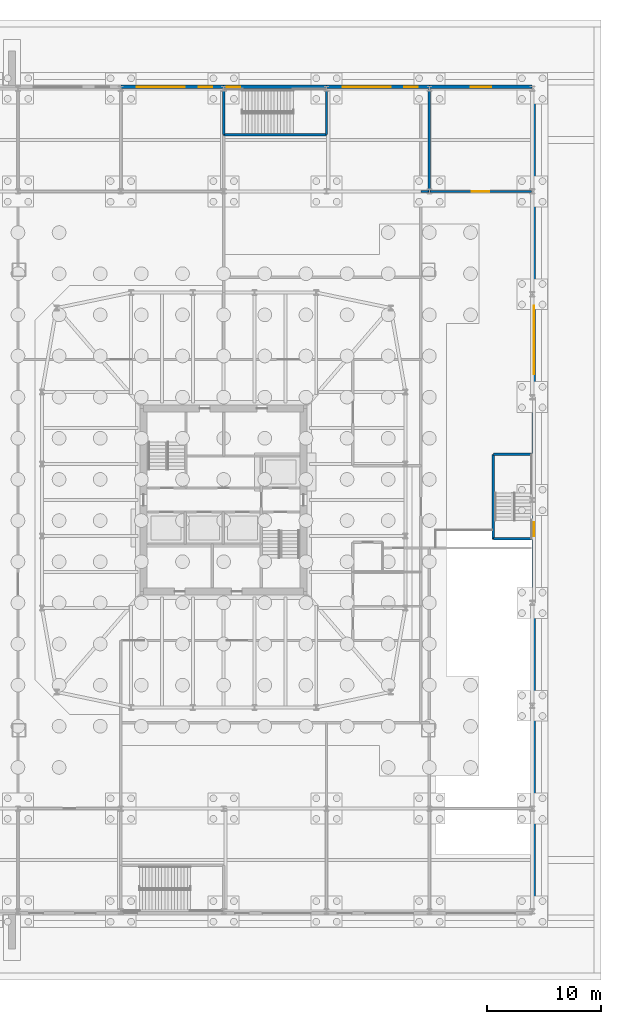
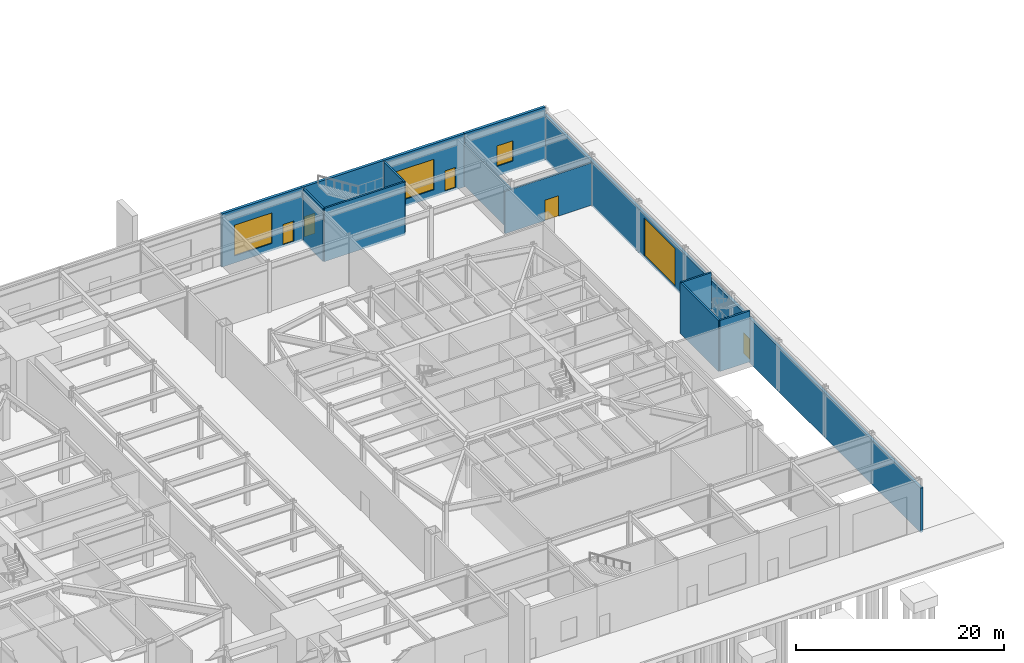
# One storey, part 20 of 37: 13 walls, 6 doors, 3 windows, 9 openings.
"""IFC4 building model written with IfcOpenShell, lengths in metres."""

from ifc_helpers import new_model, si_unit, direction, frame, frame_2d, origin, place, context, subcontext, project, spatial, rectangle, extrude, material, layer, layer_set, type_object, element, fill, save


model = new_model("IFC4")

# Units and contexts
model_context = context("Model", 3, precision=1e-05, world=origin(), true_north=direction((0.0, 1.0)))
body_context = subcontext(model_context, "Body", "Model", "MODEL_VIEW")
ifc_project = project(units=[si_unit("LENGTHUNIT", "METRE"), si_unit("AREAUNIT", "SQUARE_METRE"), si_unit("VOLUMEUNIT", "CUBIC_METRE"), si_unit("PLANEANGLEUNIT", "RADIAN"), si_unit("MASSUNIT", "GRAM", prefix="KILO")], contexts=[model_context])

# Site, building, storey
site_placement = place(None, origin())
site = spatial("IfcSite", under=ifc_project, at=site_placement, CompositionType="ELEMENT")
building_placement = place(site_placement, origin())
building = spatial("IfcBuilding", under=site, at=building_placement, Name="Iwan Alto Co-Living Towers", CompositionType="ELEMENT")
storey_placement = place(building_placement, origin())
storey = spatial("IfcBuildingStorey", under=building, at=storey_placement, Name="L00", CompositionType="ELEMENT", Elevation=0.0)

# Wall, openings, door, window
ifc_material_1 = material(Name="Fired clay brick facing", Category="masonry")
ifc_layer_1 = layer(ifc_material_1, 0.10009765625, Name="Brick facing", Category="Finish")
ifc_material_2 = material(Name="Concrete f'c 70 MPa", Category="concrete")
ifc_layer_2 = layer(ifc_material_2, 0.199951171875, Name="Reinforced concrete", Category="LoadBearing")
ifc_layer_set_1 = layer_set([ifc_layer_1, ifc_layer_2], Name="PODIUM BRICK WALL 300")
wall_type_1 = type_object("IfcWallType", Name="PODIUM BRICK WALL 300", PredefinedType="SOLIDWALL", material=ifc_layer_set_1)
wall_1_placement = place(storey_placement, frame((63.0, 36.14990234375, -0.25), z_axis=(0.0, 0.0, 1.0), x_axis=(-1.0, 0.0, 0.0)))
wall_1 = element("IfcWall", 1, at=wall_1_placement, inside=storey, type_object=wall_type_1, Name="Podium wall N L00", PredefinedType="SOLIDWALL", context=body_context, shape_type="SweptSolid", body=[
    extrude(rectangle(XDim=9.0, YDim=0.300048828125, at=frame_2d((4.5, 0.0))), origin(), (0.0, 0.0, 1.0), 6.25),
])
opening_1_placement = place(wall_1_placement, frame((1.0, 0.0, 0.25)))
opening_1 = element("IfcOpeningElement", 2, at=opening_1_placement, cuts=wall_1, Name="Opening DE1", PredefinedType="OPENING", context=body_context, shape_type="SweptSolid", body=[
    extrude(rectangle(XDim=1.199951171875, YDim=2.39990234375, at=frame_2d((0.60009765625, 1.199951171875))), frame((0.0, 0.159912109375, 0.0), z_axis=(0.0, -1.0, 0.0), x_axis=(1.0, 0.0, 0.0)), (0.0, 0.0, 1.0), 0.320068359375),
])
opening_2_placement = place(wall_1_placement, frame((3.39990234375, 0.0, 0.85009765625)))
opening_2 = element("IfcOpeningElement", 3, at=opening_2_placement, cuts=wall_1, Name="Opening WN2", PredefinedType="OPENING", context=body_context, shape_type="SweptSolid", body=[
    extrude(rectangle(XDim=4.199951171875, YDim=3.60009765625, at=frame_2d((2.10009765625, 1.800048828125))), frame((0.0, 0.159912109375, 0.0), z_axis=(0.0, -1.0, 0.0), x_axis=(1.0, 0.0, 0.0)), (0.0, 0.0, 1.0), 0.320068359375),
])
ifc_material_3 = material(Name="Bronze aluminium glazed door", Category="aluminium")
door_type_1 = type_object("IfcDoorType", Name="SHOP DOOR 1200X2400", OperationType="SINGLE_SWING_LEFT", PredefinedType="DOOR", material=ifc_material_3)
door_1_placement = place(opening_1_placement, frame((1.199951171875, 0.0, 0.0), z_axis=(0.0, 0.0, 1.0), x_axis=(-1.0, 0.0, 0.0)))
door_1 = element("IfcDoor", 4, at=door_1_placement, inside=storey, type_object=door_type_1, Name="Shop door", OperationType="SINGLE_SWING_RIGHT", OverallHeight=2.39990234375, OverallWidth=1.199951171875, PredefinedType="DOOR", context=body_context, shape_type="SweptSolid", body=[
    extrude(rectangle(XDim=1.199951171875, YDim=2.39990234375, at=frame_2d((0.60009765625, 1.199951171875))), frame((0.0, 0.02490234375, 0.0), z_axis=(0.0, -1.0, 0.0), x_axis=(1.0, 0.0, 0.0)), (0.0, 0.0, 1.0), 0.050048828125),
])
fill(opening_1, door_1)
ifc_material_4 = material(Name="Bronze aluminium shopfront frame", Category="aluminium")
window_type_1 = type_object("IfcWindowType", Name="WN2 SHOPFRONT 4200X3600", PartitioningType="SINGLE_PANEL", PredefinedType="WINDOW", material=ifc_material_4)
window_1_placement = place(opening_2_placement, origin())
window_1 = element("IfcWindow", 5, at=window_1_placement, inside=storey, type_object=window_type_1, Name="Shopfront", OverallHeight=3.60009765625, OverallWidth=4.199951171875, PartitioningType="SINGLE_PANEL", PredefinedType="WINDOW", context=body_context, shape_type="SweptSolid", body=[
    extrude(rectangle(XDim=4.199951171875, YDim=3.60009765625, at=frame_2d((2.10009765625, 1.800048828125))), frame((0.0, 0.030029296875, 0.0), z_axis=(0.0, -1.0, 0.0), x_axis=(1.0, 0.0, 0.0)), (0.0, 0.0, 1.0), 0.06005859375),
])
fill(opening_2, window_1)

# Wall, opening, door
wall_2_placement = place(storey_placement, frame((72.0, 36.14990234375, -0.25), z_axis=(0.0, 0.0, 1.0), x_axis=(-1.0, 0.0, 0.0)))
wall_2 = element("IfcWall", 6, at=wall_2_placement, inside=storey, type_object=wall_type_1, Name="Podium wall N L00", PredefinedType="SOLIDWALL", context=body_context, shape_type="SweptSolid", body=[
    extrude(rectangle(XDim=9.0, YDim=0.300048828125, at=frame_2d((4.5, 0.0))), origin(), (0.0, 0.0, 1.0), 6.25),
])
opening_3_placement = place(wall_2_placement, frame((7.550048828125, 0.0, 0.25)))
opening_3 = element("IfcOpeningElement", 7, at=opening_3_placement, cuts=wall_2, Name="Opening DE3", PredefinedType="OPENING", context=body_context, shape_type="SweptSolid", body=[
    extrude(rectangle(XDim=1.199951171875, YDim=2.39990234375, at=frame_2d((0.60009765625, 1.199951171875))), frame((0.0, 0.159912109375, 0.0), z_axis=(0.0, -1.0, 0.0), x_axis=(1.0, 0.0, 0.0)), (0.0, 0.0, 1.0), 0.320068359375),
])
ifc_material_5 = material(Name="Steel door", Category="steel")
door_type_2 = type_object("IfcDoorType", Name="EXIT DOOR FD60 1200X2400", OperationType="SINGLE_SWING_LEFT", PredefinedType="DOOR", material=ifc_material_5)
door_2_placement = place(opening_3_placement, frame((1.199951171875, 0.0, 0.0), z_axis=(0.0, 0.0, 1.0), x_axis=(-1.0, 0.0, 0.0)))
door_2 = element("IfcDoor", 8, at=door_2_placement, inside=storey, type_object=door_type_2, Name="Stair PS5 exit door", OperationType="SINGLE_SWING_LEFT", OverallHeight=2.39990234375, OverallWidth=1.199951171875, PredefinedType="DOOR", context=body_context, shape_type="SweptSolid", body=[
    extrude(rectangle(XDim=1.199951171875, YDim=2.39990234375, at=frame_2d((0.60009765625, 1.199951171875))), frame((0.0, 0.02490234375, 0.0), z_axis=(0.0, -1.0, 0.0), x_axis=(1.0, 0.0, 0.0)), (0.0, 0.0, 1.0), 0.050048828125),
])
fill(opening_3, door_2)

# Wall, openings, door, window
wall_3_placement = place(storey_placement, frame((81.0, 36.14990234375, -0.25), z_axis=(0.0, 0.0, 1.0), x_axis=(-1.0, 0.0, 0.0)))
wall_3 = element("IfcWall", 9, at=wall_3_placement, inside=storey, type_object=wall_type_1, Name="Podium wall N L00", PredefinedType="SOLIDWALL", context=body_context, shape_type="SweptSolid", body=[
    extrude(rectangle(XDim=9.0, YDim=0.300048828125, at=frame_2d((4.5, 0.0))), origin(), (0.0, 0.0, 1.0), 6.25),
])
opening_4_placement = place(wall_3_placement, frame((1.0, 0.0, 0.25)))
opening_4 = element("IfcOpeningElement", 10, at=opening_4_placement, cuts=wall_3, Name="Opening DE1", PredefinedType="OPENING", context=body_context, shape_type="SweptSolid", body=[
    extrude(rectangle(XDim=1.199951171875, YDim=2.39990234375, at=frame_2d((0.60009765625, 1.199951171875))), frame((0.0, 0.159912109375, 0.0), z_axis=(0.0, -1.0, 0.0), x_axis=(1.0, 0.0, 0.0)), (0.0, 0.0, 1.0), 0.320068359375),
])
opening_5_placement = place(wall_3_placement, frame((3.39990234375, 0.0, 0.85009765625)))
opening_5 = element("IfcOpeningElement", 11, at=opening_5_placement, cuts=wall_3, Name="Opening WN2", PredefinedType="OPENING", context=body_context, shape_type="SweptSolid", body=[
    extrude(rectangle(XDim=4.199951171875, YDim=3.60009765625, at=frame_2d((2.10009765625, 1.800048828125))), frame((0.0, 0.159912109375, 0.0), z_axis=(0.0, -1.0, 0.0), x_axis=(1.0, 0.0, 0.0)), (0.0, 0.0, 1.0), 0.320068359375),
])
door_3_placement = place(opening_4_placement, frame((1.199951171875, 0.0, 0.0), z_axis=(0.0, 0.0, 1.0), x_axis=(-1.0, 0.0, 0.0)))
door_3 = element("IfcDoor", 12, at=door_3_placement, inside=storey, type_object=door_type_1, Name="Shop door", OperationType="SINGLE_SWING_RIGHT", OverallHeight=2.39990234375, OverallWidth=1.199951171875, PredefinedType="DOOR", context=body_context, shape_type="SweptSolid", body=[
    extrude(rectangle(XDim=1.199951171875, YDim=2.39990234375, at=frame_2d((0.60009765625, 1.199951171875))), frame((0.0, 0.02490234375, 0.0), z_axis=(0.0, -1.0, 0.0), x_axis=(1.0, 0.0, 0.0)), (0.0, 0.0, 1.0), 0.050048828125),
])
fill(opening_4, door_3)
window_2_placement = place(opening_5_placement, origin())
window_2 = element("IfcWindow", 13, at=window_2_placement, inside=storey, type_object=window_type_1, Name="Shopfront", OverallHeight=3.60009765625, OverallWidth=4.199951171875, PartitioningType="SINGLE_PANEL", PredefinedType="WINDOW", context=body_context, shape_type="SweptSolid", body=[
    extrude(rectangle(XDim=4.199951171875, YDim=3.60009765625, at=frame_2d((2.10009765625, 1.800048828125))), frame((0.0, 0.030029296875, 0.0), z_axis=(0.0, -1.0, 0.0), x_axis=(1.0, 0.0, 0.0)), (0.0, 0.0, 1.0), 0.06005859375),
])
fill(opening_5, window_2)

# Wall, opening, window
wall_4_placement = place(storey_placement, frame((90.0, 36.14990234375, -0.25), z_axis=(0.0, 0.0, 1.0), x_axis=(-1.0, 0.0, 0.0)))
wall_4 = element("IfcWall", 14, at=wall_4_placement, inside=storey, type_object=wall_type_1, Name="Podium wall N L00", PredefinedType="SOLIDWALL", context=body_context, shape_type="SweptSolid", body=[
    extrude(rectangle(XDim=9.0, YDim=0.300048828125, at=frame_2d((4.5, 0.0))), origin(), (0.0, 0.0, 1.0), 6.25),
])
opening_6_placement = place(wall_4_placement, frame((3.60009765625, 0.0, 1.14990234375)))
opening_6 = element("IfcOpeningElement", 15, at=opening_6_placement, cuts=wall_4, Name="Opening WN1", PredefinedType="OPENING", context=body_context, shape_type="SweptSolid", body=[
    extrude(rectangle(XDim=1.800048828125, YDim=2.39990234375, at=frame_2d((0.89990234375, 1.199951171875))), frame((0.0, 0.159912109375, 0.0), z_axis=(0.0, -1.0, 0.0), x_axis=(1.0, 0.0, 0.0)), (0.0, 0.0, 1.0), 0.320068359375),
])
ifc_material_6 = material(Name="Bronze aluminium window frame", Category="aluminium")
window_type_2 = type_object("IfcWindowType", Name="WN1 PODIUM WINDOW 1800X2400", PartitioningType="SINGLE_PANEL", PredefinedType="WINDOW", material=ifc_material_6)
window_3_placement = place(opening_6_placement, origin())
window_3 = element("IfcWindow", 16, at=window_3_placement, inside=storey, type_object=window_type_2, Name="Podium window", OverallHeight=2.39990234375, OverallWidth=1.800048828125, PartitioningType="SINGLE_PANEL", PredefinedType="WINDOW", context=body_context, shape_type="SweptSolid", body=[
    extrude(rectangle(XDim=1.800048828125, YDim=2.39990234375, at=frame_2d((0.89990234375, 1.199951171875))), frame((0.0, 0.030029296875, 0.0), z_axis=(0.0, -1.0, 0.0), x_axis=(1.0, 0.0, 0.0)), (0.0, 0.0, 1.0), 0.06005859375),
])
fill(opening_6, window_3)

# Wall, openings, doors
wall_5_placement = place(storey_placement, frame((90.14990234375, -36.300048828125, -0.25), z_axis=(0.0, 0.0, 1.0), x_axis=(0.0, 1.0, 0.0)))
wall_5 = element("IfcWall", 17, at=wall_5_placement, inside=storey, type_object=wall_type_1, Name="Podium wall E L00", PredefinedType="SOLIDWALL", context=body_context, shape_type="SweptSolid", body=[
    extrude(rectangle(XDim=72.60009765625, YDim=0.300048828125, at=frame_2d((36.300048828125, 0.0))), origin(), (0.0, 0.0, 1.0), 5.23046875),
])
opening_7_placement = place(wall_5_placement, frame((33.14990234375, 0.0, 0.25)))
opening_7 = element("IfcOpeningElement", 18, at=opening_7_placement, cuts=wall_5, Name="Opening DE3", PredefinedType="OPENING", context=body_context, shape_type="SweptSolid", body=[
    extrude(rectangle(XDim=1.199951171875, YDim=2.39990234375, at=frame_2d((0.60009765625, 1.199951171875))), frame((0.0, 0.159912109375, 0.0), z_axis=(0.0, -1.0, 0.0), x_axis=(1.0, 0.0, 0.0)), (0.0, 0.0, 1.0), 0.320068359375),
])
opening_8_placement = place(wall_5_placement, frame((47.300048828125, 0.0, 0.25)))
opening_8 = element("IfcOpeningElement", 19, at=opening_8_placement, cuts=wall_5, Name="Opening DE4", PredefinedType="OPENING", context=body_context, shape_type="SweptSolid", body=[
    extrude(rectangle(XDim=6.0, YDim=4.5, at=frame_2d((3.0, 2.25))), frame((0.0, 0.159912109375, 0.0), z_axis=(0.0, -1.0, 0.0), x_axis=(1.0, 0.0, 0.0)), (0.0, 0.0, 1.0), 0.320068359375),
])
door_4_placement = place(opening_7_placement, frame((1.199951171875, 0.0, 0.0), z_axis=(0.0, 0.0, 1.0), x_axis=(-1.0, 0.0, 0.0)))
door_4 = element("IfcDoor", 20, at=door_4_placement, inside=storey, type_object=door_type_2, Name="Stair PS2 exit door", OperationType="SINGLE_SWING_RIGHT", OverallHeight=2.39990234375, OverallWidth=1.199951171875, PredefinedType="DOOR", context=body_context, shape_type="SweptSolid", body=[
    extrude(rectangle(XDim=1.199951171875, YDim=2.39990234375, at=frame_2d((0.60009765625, 1.199951171875))), frame((0.0, 0.02490234375, 0.0), z_axis=(0.0, -1.0, 0.0), x_axis=(1.0, 0.0, 0.0)), (0.0, 0.0, 1.0), 0.050048828125),
])
fill(opening_7, door_4)
ifc_material_7 = material(Name="Steel roller shutter", Category="steel")
door_type_3 = type_object("IfcDoorType", Name="ROLLER SHUTTER 6000X4500", OperationType="USERDEFINED", PredefinedType="GATE", material=ifc_material_7)
door_5_placement = place(opening_8_placement, origin())
door_5 = element("IfcDoor", 21, at=door_5_placement, inside=storey, type_object=door_type_3, Name="Loading bay shutter", OperationType="USERDEFINED", OverallHeight=4.5, OverallWidth=6.0, PredefinedType="GATE", context=body_context, shape_type="SweptSolid", body=[
    extrude(rectangle(XDim=6.0, YDim=4.5, at=frame_2d((3.0, 2.25))), frame((0.0, 0.02490234375, 0.0), z_axis=(0.0, -1.0, 0.0), x_axis=(1.0, 0.0, 0.0)), (0.0, 0.0, 1.0), 0.050048828125),
])
fill(opening_8, door_5)

# Wall, opening, door
ifc_material_8 = material(Name="Concrete block masonry f*p 10 MPa", Category="masonry")
ifc_layer_3 = layer(ifc_material_8, 0.199951171875)
ifc_layer_set_2 = layer_set([ifc_layer_3], Name="PODIUM INTERNAL WALL 200")
wall_type_2 = type_object("IfcWallType", Name="PODIUM INTERNAL WALL 200", PredefinedType="SOLIDWALL", material=ifc_layer_set_2)
wall_6_placement = place(storey_placement, frame((80.25, 27.0, 0.0), z_axis=(0.0, 0.0, 1.0), x_axis=(1.0, 0.0, 0.0)))
wall_6 = element("IfcWall", 22, at=wall_6_placement, inside=storey, type_object=wall_type_2, Name="Partition L00", PredefinedType="SOLIDWALL", context=body_context, shape_type="SweptSolid", body=[
    extrude(rectangle(XDim=9.68994140625, YDim=0.199951171875, at=frame_2d((4.844970703125, 0.0))), origin(), (0.0, 0.0, 1.0), 4.98046875),
])
opening_9_placement = place(wall_6_placement, frame((4.469970703125, 0.0, 0.0)))
opening_9 = element("IfcOpeningElement", 23, at=opening_9_placement, cuts=wall_6, Name="Opening D13", PredefinedType="OPENING", context=body_context, shape_type="SweptSolid", body=[
    extrude(rectangle(XDim=1.5, YDim=2.39990234375, at=frame_2d((0.75, 1.199951171875))), frame((0.0, 0.10986328125, 0.0), z_axis=(0.0, -1.0, 0.0), x_axis=(1.0, 0.0, 0.0)), (0.0, 0.0, 1.0), 0.219970703125),
])
ifc_material_9 = material(Name="Steel frame with timber leaf", Category="steel")
door_type_4 = type_object("IfcDoorType", Name="SERVICE DOOR FD60 1500X2400", OperationType="DOUBLE_DOOR_SINGLE_SWING", PredefinedType="DOOR", material=ifc_material_9)
door_6_placement = place(opening_9_placement, origin())
door_6 = element("IfcDoor", 24, at=door_6_placement, inside=storey, type_object=door_type_4, Name="Refuse store door L00", OperationType="DOUBLE_DOOR_SINGLE_SWING", OverallHeight=2.39990234375, OverallWidth=1.5, PredefinedType="DOOR", context=body_context, shape_type="SweptSolid", body=[
    extrude(rectangle(XDim=1.5, YDim=2.39990234375, at=frame_2d((0.75, 1.199951171875))), frame((0.0, 0.02490234375, 0.0), z_axis=(0.0, -1.0, 0.0), x_axis=(1.0, 0.0, 0.0)), (0.0, 0.0, 1.0), 0.050048828125),
])
fill(opening_9, door_6)

# Walls
wall_7_placement = place(storey_placement, frame((81.0, 27.0, 0.0), z_axis=(0.0, 0.0, 1.0), x_axis=(0.0, 1.0, 0.0)))
element("IfcWall", 25, at=wall_7_placement, inside=storey, type_object=wall_type_2, Name="Partition L00", PredefinedType="SOLIDWALL", context=body_context, shape_type="SweptSolid", body=[
    extrude(rectangle(XDim=8.93994140625, YDim=0.199951171875, at=frame_2d((4.469970703125, 0.0))), origin(), (0.0, 0.0, 1.0), 4.98046875),
])
ifc_material_10 = material(Name="Concrete f'c 70 MPa", Category="concrete")
ifc_layer_4 = layer(ifc_material_10, 0.199951171875)
ifc_layer_set_3 = layer_set([ifc_layer_4], Name="SHAFT WALL 200")
wall_type_3 = type_object("IfcWallType", Name="SHAFT WALL 200", PredefinedType="SOLIDWALL", material=ifc_layer_set_3)
for number, where, z_axis, x_axis, name in (
    (26, (86.60009765625, -3.39990234375, 0.0), (0.0, 0.0, 1.0), (1.0, 0.0, 0.0), "Shaft wall L00"),
    (27, (86.60009765625, 4.0, 0.0), (0.0, 0.0, 1.0), (1.0, 0.0, 0.0), "Shaft wall L00"),
):
    element("IfcWall", number, at=place(storey_placement, frame(where, z_axis=z_axis, x_axis=x_axis)), inside=storey, type_object=wall_type_3, Name=name, PredefinedType="SOLIDWALL", context=body_context, shape_type="SweptSolid", body=[
        extrude(rectangle(XDim=3.33984375, YDim=0.199951171875, at=frame_2d((1.669921875, 0.0))), origin(), (0.0, 0.0, 1.0), 6.0),
    ])
wall_8_placement = place(storey_placement, frame((63.0, 31.9599609375, -0.25), z_axis=(0.0, 0.0, 1.0), x_axis=(1.0, 0.0, 0.0)))
element("IfcWall", 28, at=wall_8_placement, inside=storey, type_object=wall_type_3, Name="Shaft wall L00", PredefinedType="SOLIDWALL", context=body_context, shape_type="SweptSolid", body=[
    extrude(rectangle(XDim=9.0, YDim=0.199951171875, at=frame_2d((4.5, 0.0))), origin(), (0.0, 0.0, 1.0), 6.25),
])
wall_9_placement = place(storey_placement, frame((86.60009765625, -3.39990234375, 0.0), z_axis=(0.0, 0.0, 1.0), x_axis=(0.0, 1.0, 0.0)))
element("IfcWall", 29, at=wall_9_placement, inside=storey, type_object=wall_type_3, Name="Shaft wall L00", PredefinedType="SOLIDWALL", context=body_context, shape_type="SweptSolid", body=[
    extrude(rectangle(XDim=7.39990234375, YDim=0.199951171875, at=frame_2d((3.699951171875, 0.0))), origin(), (0.0, 0.0, 1.0), 6.0),
])
for number, where, z_axis, x_axis, name in (
    (30, (72.0, 31.9599609375, -0.25), (0.0, 0.0, 1.0), (0.0, 1.0, 0.0), "Shaft wall L00"),
    (31, (63.0, 31.9599609375, -0.25), (0.0, 0.0, 1.0), (0.0, 1.0, 0.0), "Shaft wall L00"),
):
    element("IfcWall", number, at=place(storey_placement, frame(where, z_axis=z_axis, x_axis=x_axis)), inside=storey, type_object=wall_type_3, Name=name, PredefinedType="SOLIDWALL", context=body_context, shape_type="SweptSolid", body=[
        extrude(rectangle(XDim=3.82275390625, YDim=0.199951171875, at=frame_2d((1.911376953125, 0.0))), origin(), (0.0, 0.0, 1.0), 6.25),
    ])

save(model, "model.ifc")
